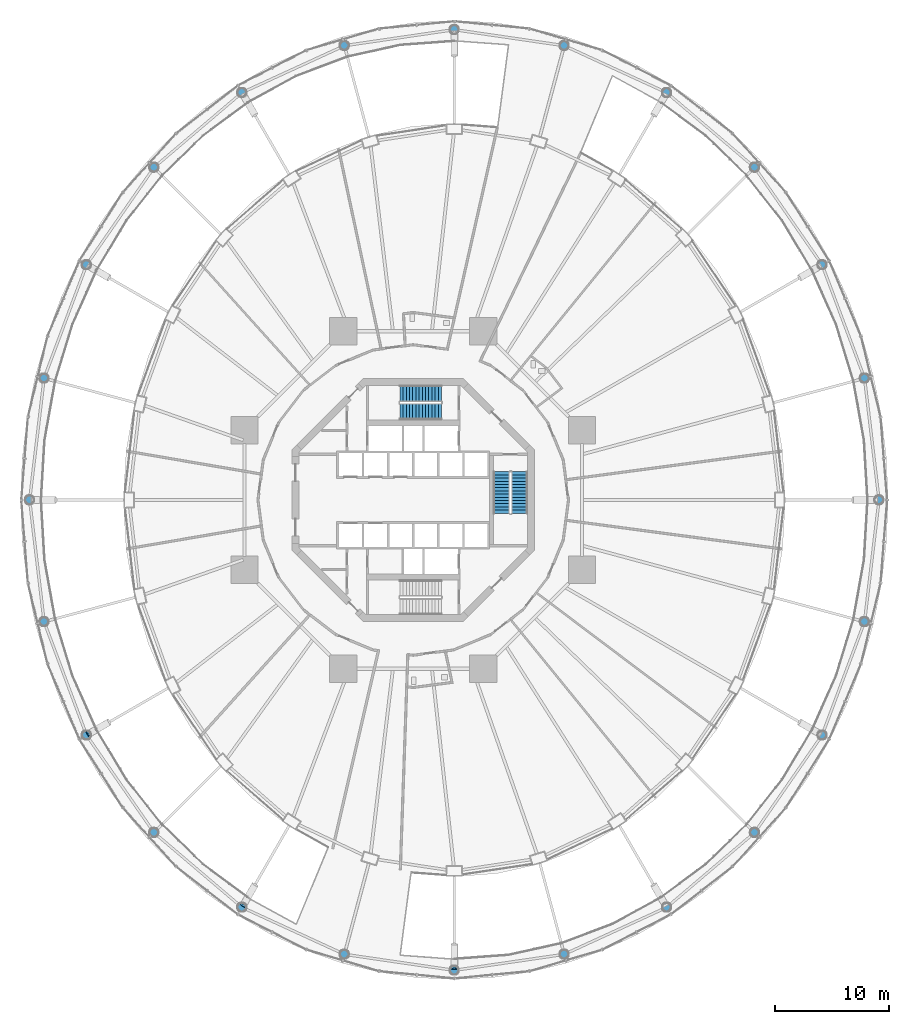
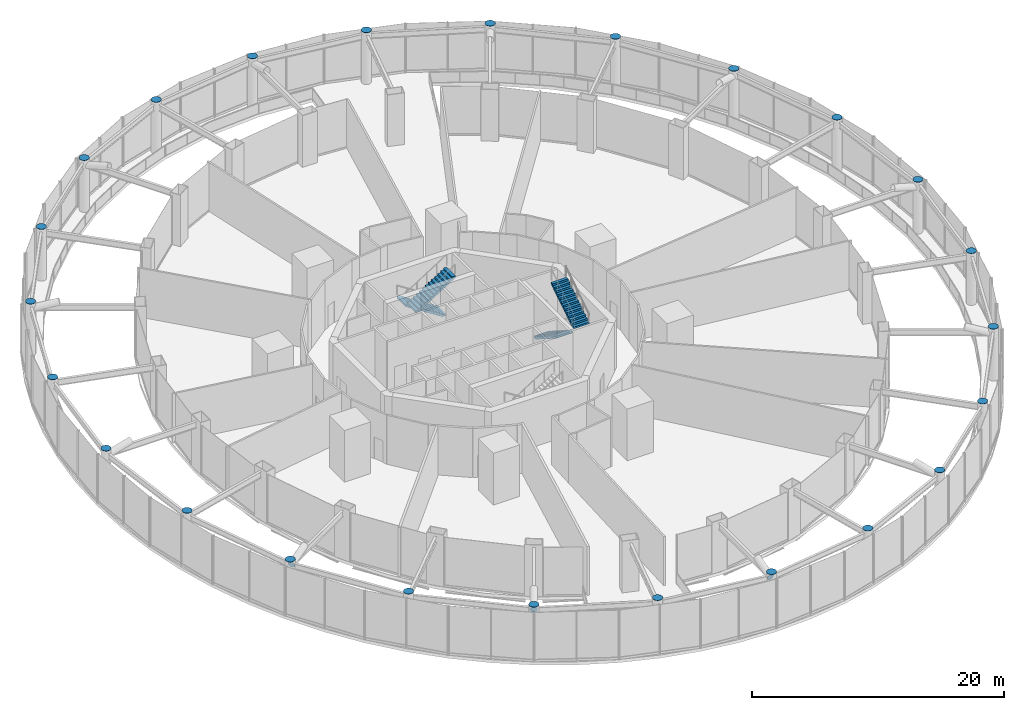
# One storey, part 47 of 52: 27 discrete accessories, 4 stair flights, 2 elements without a shape of their own.
"""IFC4 building model written with IfcOpenShell, lengths in metres."""

from ifc_helpers import new_model, si_unit, direction, frame, origin, origin_2d, place, context, subcontext, project, spatial, polyline, circle, outline, extrude, material, layer, layer_set, type_object, element, aggregate, save


model = new_model("IFC4")

# Units and contexts
model_context = context("Model", 3, precision=1e-05, world=origin(), true_north=direction((0.0, 1.0)))
body_context = subcontext(model_context, "Body", "Model", "MODEL_VIEW")
ifc_project = project(units=[si_unit("LENGTHUNIT", "METRE"), si_unit("AREAUNIT", "SQUARE_METRE"), si_unit("VOLUMEUNIT", "CUBIC_METRE"), si_unit("PLANEANGLEUNIT", "RADIAN"), si_unit("MASSUNIT", "GRAM", prefix="KILO")], contexts=[model_context])

# Site, building, storey
site_placement = place(None, origin())
site = spatial("IfcSite", under=ifc_project, at=site_placement, CompositionType="ELEMENT")
building_placement = place(site_placement, origin())
building = spatial("IfcBuilding", under=site, at=building_placement, Name="Nagisa Residences", CompositionType="ELEMENT")
storey_placement = place(building_placement, frame((0.0, 0.0, 22.0)))
storey = spatial("IfcBuildingStorey", under=building, at=storey_placement, Name="L04", CompositionType="ELEMENT", Elevation=22.0)

# Stair, stair flights
ifc_material_1 = material(Name="Concrete C60", Category="concrete")
stair_type = type_object("IfcStairType", Name="Exit stair", PredefinedType="HALF_TURN_STAIR", material=ifc_material_1)
stair_1_placement = place(storey_placement, origin())
stair_1 = element("IfcStair", 1, at=stair_1_placement, inside=storey, type_object=stair_type, Name="L04 Exit stair E", PredefinedType="HALF_TURN_STAIR")
ifc_material_2 = material(Name="Concrete C60", Category="concrete")
stair_flight_type = type_object("IfcStairFlightType", Name="Exit stair flight", PredefinedType="STRAIGHT", material=ifc_material_2)
stair_flight_1_placement = place(storey_placement, frame((7.737060546875, 2.47509765625, 0.0), z_axis=(0.0, 0.0, 1.0), x_axis=(0.0, -1.0, 0.0)))
stair_flight_1 = element("IfcStairFlight", 2, at=stair_flight_1_placement, type_object=stair_flight_type, Name="ST-E flight 1", NumberOfRisers=14, NumberOfTreads=13, PredefinedType="STRAIGHT", RiserHeight=0.178571429, TreadLength=0.28, context=body_context, shape_type="SweptSolid", body=[
    extrude(outline(polyline([(0.0, 0.0), (0.0, 0.178466796875), (0.280029296875, 0.178466796875), (0.280029296875, 0.357177734375), (0.56005859375, 0.357177734375), (0.56005859375, 0.53564453125), (0.840087890625, 0.53564453125), (0.840087890625, 0.71435546875), (1.1201171875, 0.71435546875), (1.1201171875, 0.892822265625), (1.39990234375, 0.892822265625), (1.39990234375, 1.071533203125), (1.679931640625, 1.071533203125), (1.679931640625, 1.25), (1.9599609375, 1.25), (1.9599609375, 1.428466796875), (2.239990234375, 1.428466796875), (2.239990234375, 1.607177734375), (2.52001953125, 1.607177734375), (2.52001953125, 1.78564453125), (2.800048828125, 1.78564453125), (2.800048828125, 1.96435546875), (3.080078125, 1.96435546875), (3.080078125, 2.142822265625), (3.360107421875, 2.142822265625), (3.360107421875, 2.321533203125), (3.639892578125, 2.321533203125), (3.639892578125, 2.5), (3.639892578125, 2.1435546875), (0.27880859375, 0.0), (0.0, 0.0)])), frame((0.0, 0.71240234375, 0.0), z_axis=(0.0, -1.0, 0.0), x_axis=(1.0, 0.0, 0.0)), (0.0, 0.0, 1.0), 1.425048828125),
])
stair_flight_2_placement = place(storey_placement, frame((9.31201171875, -1.1650390625, 2.5), z_axis=(0.0, 0.0, 1.0), x_axis=(0.0, 1.0, 0.0)))
stair_flight_2 = element("IfcStairFlight", 3, at=stair_flight_2_placement, type_object=stair_flight_type, Name="ST-E flight 2", NumberOfRisers=14, NumberOfTreads=13, PredefinedType="STRAIGHT", RiserHeight=0.178571429, TreadLength=0.28, context=body_context, shape_type="SweptSolid", body=[
    extrude(outline(polyline([(0.0, 0.0), (0.0, 0.178466796875), (0.280029296875, 0.178466796875), (0.280029296875, 0.357177734375), (0.56005859375, 0.357177734375), (0.56005859375, 0.53564453125), (0.840087890625, 0.53564453125), (0.840087890625, 0.71435546875), (1.1201171875, 0.71435546875), (1.1201171875, 0.892822265625), (1.39990234375, 0.892822265625), (1.39990234375, 1.071533203125), (1.679931640625, 1.071533203125), (1.679931640625, 1.25), (1.9599609375, 1.25), (1.9599609375, 1.428466796875), (2.239990234375, 1.428466796875), (2.239990234375, 1.607177734375), (2.52001953125, 1.607177734375), (2.52001953125, 1.78564453125), (2.800048828125, 1.78564453125), (2.800048828125, 1.96435546875), (3.080078125, 1.96435546875), (3.080078125, 2.142822265625), (3.360107421875, 2.142822265625), (3.360107421875, 2.321533203125), (3.639892578125, 2.321533203125), (3.639892578125, 2.5), (3.639892578125, 2.1435546875), (0.27880859375, 0.0), (0.0, 0.0)])), frame((0.0, 0.71240234375, 0.0), z_axis=(0.0, -1.0, 0.0), x_axis=(1.0, 0.0, 0.0)), (0.0, 0.0, 1.0), 1.425048828125),
])
aggregate(stair_1, [stair_flight_1, stair_flight_2])

stair_2_placement = place(storey_placement, origin())
stair_2 = element("IfcStair", 4, at=stair_2_placement, inside=storey, type_object=stair_type, Name="L04 Exit stair N", PredefinedType="HALF_TURN_STAIR")
stair_flight_3_placement = place(storey_placement, frame((2.47509765625, 9.31201171875, 0.0), z_axis=(0.0, 0.0, 1.0), x_axis=(-1.0, 0.0, 0.0)))
stair_flight_3 = element("IfcStairFlight", 5, at=stair_flight_3_placement, type_object=stair_flight_type, Name="ST-N flight 1", NumberOfRisers=14, NumberOfTreads=13, PredefinedType="STRAIGHT", RiserHeight=0.178571429, TreadLength=0.28, context=body_context, shape_type="SweptSolid", body=[
    extrude(outline(polyline([(0.0, 0.0), (0.0, 0.178466796875), (0.280029296875, 0.178466796875), (0.280029296875, 0.357177734375), (0.56005859375, 0.357177734375), (0.56005859375, 0.53564453125), (0.840087890625, 0.53564453125), (0.840087890625, 0.71435546875), (1.1201171875, 0.71435546875), (1.1201171875, 0.892822265625), (1.39990234375, 0.892822265625), (1.39990234375, 1.071533203125), (1.679931640625, 1.071533203125), (1.679931640625, 1.25), (1.9599609375, 1.25), (1.9599609375, 1.428466796875), (2.239990234375, 1.428466796875), (2.239990234375, 1.607177734375), (2.52001953125, 1.607177734375), (2.52001953125, 1.78564453125), (2.800048828125, 1.78564453125), (2.800048828125, 1.96435546875), (3.080078125, 1.96435546875), (3.080078125, 2.142822265625), (3.360107421875, 2.142822265625), (3.360107421875, 2.321533203125), (3.639892578125, 2.321533203125), (3.639892578125, 2.5), (3.639892578125, 2.1435546875), (0.27880859375, 0.0), (0.0, 0.0)])), frame((0.0, 0.71240234375, 0.0), z_axis=(0.0, -1.0, 0.0), x_axis=(1.0, 0.0, 0.0)), (0.0, 0.0, 1.0), 1.425048828125),
])
stair_flight_4_placement = place(storey_placement, frame((-1.1650390625, 7.737060546875, 2.5), z_axis=(0.0, 0.0, 1.0), x_axis=(1.0, 0.0, 0.0)))
stair_flight_4 = element("IfcStairFlight", 6, at=stair_flight_4_placement, type_object=stair_flight_type, Name="ST-N flight 2", NumberOfRisers=14, NumberOfTreads=13, PredefinedType="STRAIGHT", RiserHeight=0.178571429, TreadLength=0.28, context=body_context, shape_type="SweptSolid", body=[
    extrude(outline(polyline([(0.0, 0.0), (0.0, 0.178466796875), (0.280029296875, 0.178466796875), (0.280029296875, 0.357177734375), (0.56005859375, 0.357177734375), (0.56005859375, 0.53564453125), (0.840087890625, 0.53564453125), (0.840087890625, 0.71435546875), (1.1201171875, 0.71435546875), (1.1201171875, 0.892822265625), (1.39990234375, 0.892822265625), (1.39990234375, 1.071533203125), (1.679931640625, 1.071533203125), (1.679931640625, 1.25), (1.9599609375, 1.25), (1.9599609375, 1.428466796875), (2.239990234375, 1.428466796875), (2.239990234375, 1.607177734375), (2.52001953125, 1.607177734375), (2.52001953125, 1.78564453125), (2.800048828125, 1.78564453125), (2.800048828125, 1.96435546875), (3.080078125, 1.96435546875), (3.080078125, 2.142822265625), (3.360107421875, 2.142822265625), (3.360107421875, 2.321533203125), (3.639892578125, 2.321533203125), (3.639892578125, 2.5), (3.639892578125, 2.1435546875), (0.27880859375, 0.0), (0.0, 0.0)])), frame((0.0, 0.71240234375, 0.0), z_axis=(0.0, -1.0, 0.0), x_axis=(1.0, 0.0, 0.0)), (0.0, 0.0, 1.0), 1.425048828125),
])
aggregate(stair_2, [stair_flight_3, stair_flight_4])

# Discrete accessories
ifc_material_3 = material(Name="Steel ASTM A572 Gr 50", Category="steel")
ifc_layer_1 = layer(ifc_material_3, 0.030029296875)
ifc_layer_set_1 = layer_set([ifc_layer_1], Name="End plate")
discrete_accessory_type_1 = type_object("IfcDiscreteAccessoryType", Name="End plate", PredefinedType="ANCHORPLATE", material=ifc_layer_set_1)
for number, where, z_axis, x_axis, name in (
    (7, (40.800048828125, 0.0, 5.0), (0.0, 0.0, 1.0), (1.0, 0.0, 0.0), "End plate AC01"),
    (8, (39.532470703125, 10.663330078125, 5.0), (0.0, 0.0, 1.0), (1.0, 0.0, 0.0), "End plate AC02"),
    (9, (35.816162109375, 20.60009765625, 5.0), (0.0, 0.0, 1.0), (1.0, 0.0, 0.0), "End plate AC03"),
    (10, (29.904296875, 29.1328125, 5.0), (0.0, 0.0, 1.0), (1.0, 0.0, 0.0), "End plate AC04"),
    (11, (22.199951171875, 35.68017578125, 5.0), (0.0, 0.0, 1.0), (1.0, 0.0, 0.0), "End plate AC05"),
    (12, (13.22802734375, 39.796142578125, 5.0), (0.0, 0.0, 1.0), (1.0, 0.0, 0.0), "End plate AC06"),
    (13, (3.60009765625, 41.199951171875, 5.0), (0.0, 0.0, 1.0), (1.0, 0.0, 0.0), "End plate AC07"),
    (14, (-6.028076171875, 39.796142578125, 5.0), (0.0, 0.0, 1.0), (1.0, 0.0, 0.0), "End plate AC08"),
    (15, (-15.0, 35.68017578125, 5.0), (0.0, 0.0, 1.0), (1.0, 0.0, 0.0), "End plate AC09"),
    (16, (-22.704345703125, 29.1328125, 5.0), (0.0, 0.0, 1.0), (1.0, 0.0, 0.0), "End plate AC10"),
    (17, (-28.6162109375, 20.60009765625, 5.0), (0.0, 0.0, 1.0), (1.0, 0.0, 0.0), "End plate AC11"),
    (18, (-32.33251953125, 10.663330078125, 5.0), (0.0, 0.0, 1.0), (1.0, 0.0, 0.0), "End plate AC12"),
    (19, (-33.60009765625, 0.0, 5.0), (0.0, 0.0, 1.0), (1.0, 0.0, 0.0), "End plate AC13"),
    (20, (-32.33251953125, -10.663330078125, 5.0), (0.0, 0.0, 1.0), (1.0, 0.0, 0.0), "End plate AC14"),
    (21, (-28.6162109375, -20.60009765625, 5.0), (0.0, 0.0, 1.0), (1.0, 0.0, 0.0), "End plate AC15"),
    (22, (-22.704345703125, -29.1328125, 5.0), (0.0, 0.0, 1.0), (1.0, 0.0, 0.0), "End plate AC16"),
    (23, (-15.0, -35.68017578125, 5.0), (0.0, 0.0, 1.0), (1.0, 0.0, 0.0), "End plate AC17"),
    (24, (-6.028076171875, -39.796142578125, 5.0), (0.0, 0.0, 1.0), (1.0, 0.0, 0.0), "End plate AC18"),
    (25, (3.60009765625, -41.199951171875, 5.0), (0.0, 0.0, 1.0), (1.0, 0.0, 0.0), "End plate AC19"),
    (26, (13.22802734375, -39.796142578125, 5.0), (0.0, 0.0, 1.0), (1.0, 0.0, 0.0), "End plate AC20"),
    (27, (22.199951171875, -35.68017578125, 5.0), (0.0, 0.0, 1.0), (1.0, 0.0, 0.0), "End plate AC21"),
    (28, (29.904296875, -29.1328125, 5.0), (0.0, 0.0, 1.0), (1.0, 0.0, 0.0), "End plate AC22"),
    (29, (35.816162109375, -20.60009765625, 5.0), (0.0, 0.0, 1.0), (1.0, 0.0, 0.0), "End plate AC23"),
    (30, (39.532470703125, -10.663330078125, 5.0), (0.0, 0.0, 1.0), (1.0, 0.0, 0.0), "End plate AC24"),
):
    element("IfcDiscreteAccessory", number, at=place(storey_placement, frame(where, z_axis=z_axis, x_axis=x_axis)), inside=storey, type_object=discrete_accessory_type_1, Name=name, PredefinedType="ANCHORPLATE", context=body_context, shape_type="SweptSolid", body=[
        extrude(circle(Radius=0.406494140625, at=origin_2d()), origin(), (0.0, 0.0, 1.0), 0.030029296875),
    ])
ifc_material_4 = material(Name="Steel ASTM A572 Gr 50", Category="steel")
ifc_layer_2 = layer(ifc_material_4, 0.030029296875)
ifc_layer_set_2 = layer_set([ifc_layer_2], Name="Node plate")
discrete_accessory_type_2 = type_object("IfcDiscreteAccessoryType", Name="Node plate", PredefinedType="ANCHORPLATE", material=ifc_layer_set_2)
discrete_accessory_1_placement = place(storey_placement, frame((-28.44287109375, -20.5, 4.39990234375), z_axis=(-0.836018030887, -0.47888411478, -0.26785043708), x_axis=(0.497045922111, -0.867724236905, 0.0)))
element("IfcDiscreteAccessory", 31, at=discrete_accessory_1_placement, inside=storey, type_object=discrete_accessory_type_2, Name="Node plate ST1T08", PredefinedType="ANCHORPLATE", context=body_context, shape_type="SweptSolid", body=[
    extrude(circle(Radius=0.304931640625, at=origin_2d()), origin(), (0.0, 0.0, 1.0), 0.030029296875),
])
discrete_accessory_2_placement = place(storey_placement, frame((-14.89990234375, -35.507080078125, 4.39990234375), z_axis=(-0.482151028203, -0.833549235199, -0.269677693741), x_axis=(0.865619895442, -0.500701704226, 0.0)))
element("IfcDiscreteAccessory", 32, at=discrete_accessory_2_placement, inside=storey, type_object=discrete_accessory_type_2, Name="Node plate ST1T09", PredefinedType="ANCHORPLATE", context=body_context, shape_type="SweptSolid", body=[
    extrude(circle(Radius=0.304931640625, at=origin_2d()), origin(), (0.0, 0.0, 1.0), 0.02978515625),
])
discrete_accessory_3_placement = place(storey_placement, frame((3.60009765625, -41.0, 4.39990234375), z_axis=(0.0, -0.963048734757, -0.269327188534), x_axis=(1.0, 0.0, 0.0)))
element("IfcDiscreteAccessory", 33, at=discrete_accessory_3_placement, inside=storey, type_object=discrete_accessory_type_2, Name="Node plate ST1T10", PredefinedType="ANCHORPLATE", context=body_context, shape_type="SweptSolid", body=[
    extrude(circle(Radius=0.304931640625, at=origin_2d()), origin(), (0.0, 0.0, 1.0), 0.030029296875),
])

save(model, "model.ifc")
